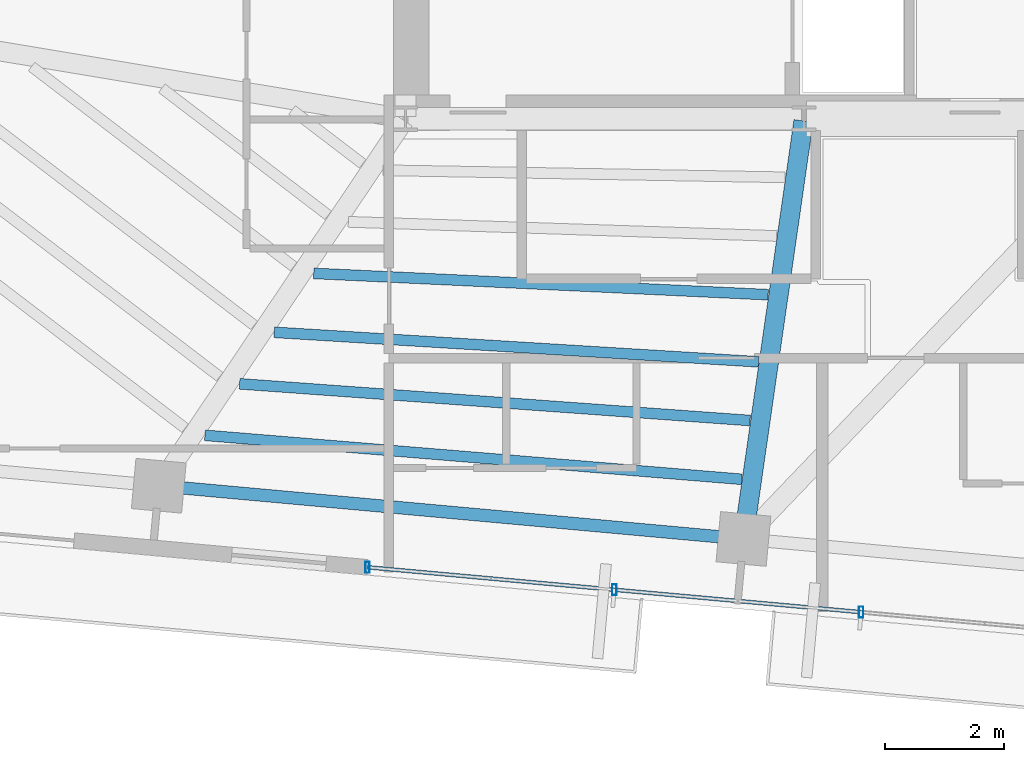
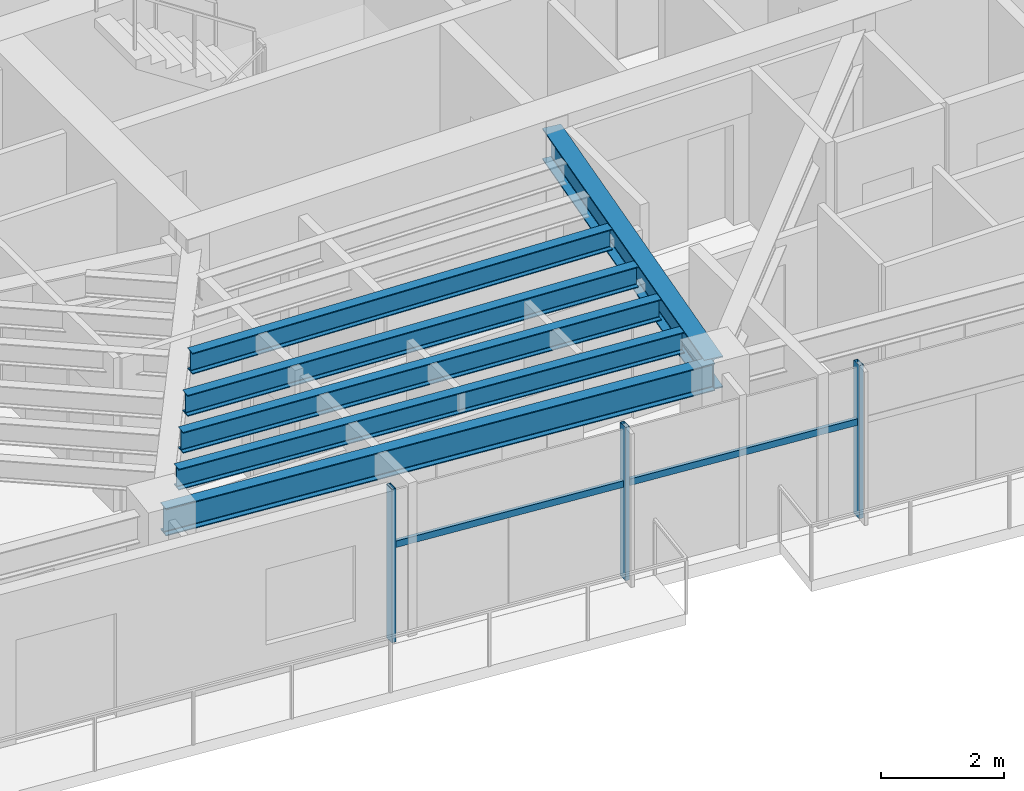
# One storey, part 6 of 22: 6 beams, 5 members, 1 element without a shape of its own.
"""IFC4 building model written with IfcOpenShell, lengths in metres."""

from ifc_helpers import new_model, si_unit, direction, frame, origin, origin_2d, place, context, subcontext, project, spatial, hollow_rectangle, i_section, extrude, source, transform, mapped, material, material_profile, profile_set, type_object, type_shapes, element, aggregate, save


model = new_model("IFC4")

# Units and contexts
model_context = context("Model", 3, precision=1e-05, world=origin(), true_north=direction((0.0, 1.0)))
body_context = subcontext(model_context, "Body", "Model", "MODEL_VIEW")
ifc_project = project(units=[si_unit("LENGTHUNIT", "METRE"), si_unit("AREAUNIT", "SQUARE_METRE"), si_unit("VOLUMEUNIT", "CUBIC_METRE"), si_unit("PLANEANGLEUNIT", "RADIAN"), si_unit("MASSUNIT", "GRAM", prefix="KILO")], contexts=[model_context])

# Site, building, storey
site_placement = place(None, origin())
site = spatial("IfcSite", under=ifc_project, at=site_placement, CompositionType="ELEMENT")
building_placement = place(site_placement, origin())
building = spatial("IfcBuilding", under=site, at=building_placement, Name="Astriad Promenade Condominiums", CompositionType="ELEMENT")
storey_placement = place(building_placement, frame((0.0, 0.0, 239.699951171875)))
storey = spatial("IfcBuildingStorey", under=building, at=storey_placement, Name="L69", CompositionType="ELEMENT", Elevation=239.699951171875)

# Beams
ifc_material_1 = material(Name="Steel ASTM A992 Grade 50", Category="steel")
ifc_material_profile_1 = material_profile(ifc_material_1, i_section(OverallWidth=0.210693359375, OverallDepth=0.53955078125, WebThickness=0.01171875, FlangeThickness=0.018798828125, FilletRadius=0.0166015625, at=origin_2d()), Name="W21X73")
ifc_profile_set_1 = profile_set([ifc_material_profile_1], Name="Steel ASTM A992 Grade 50")
beam_type_1 = type_object("IfcBeamType", Name="STEEL SPANDREL BEAM W21X73", PredefinedType="SPANDREL", material=ifc_profile_set_1)
shared_shape_1 = source(origin(), body_context, "Body", "SweptSolid", [
    extrude(i_section(OverallWidth=0.210693359375, OverallDepth=0.53955078125, WebThickness=0.01171875, FlangeThickness=0.018798828125, FilletRadius=0.0166015625, at=origin_2d()), origin(), (0.0, 0.0, 1.0), 9.81982421875),
])
type_shapes(beam_type_1, [shared_shape_1])
beam_1_placement = place(storey_placement, frame((22.281005859375, 11.205322265625, 2.770263671875), z_axis=(0.995885459014, -0.090620927631, 0.0), x_axis=(0.090620927631, 0.995885459014, 0.0)))
element("IfcBeam", 1, at=beam_1_placement, inside=storey, type_object=beam_type_1, Name="Perimeter Spandrel Beam SP-S2-L69", PredefinedType="SPANDREL", context=body_context, shape_type="MappedRepresentation", body=[
    mapped(shared_shape_1, transform((0.0, 0.0, 0.0), scale=1.0)),
])
ifc_material_profile_2 = material_profile(ifc_material_1, i_section(OverallWidth=0.326416015625, OverallDepth=0.621826171875, WebThickness=0.015380859375, FlangeThickness=0.0244140625, FilletRadius=0.017822265625, at=origin_2d()), Name="W24X131")
ifc_profile_set_2 = profile_set([ifc_material_profile_2], Name="Steel ASTM A992 Grade 50")
beam_type_2 = type_object("IfcBeamType", Name="STEEL FLOOR GIRDER W24X131", PredefinedType="BEAM", material=ifc_profile_set_2)
shared_shape_2 = source(origin(), body_context, "Body", "SweptSolid", [
    extrude(i_section(OverallWidth=0.326416015625, OverallDepth=0.621826171875, WebThickness=0.015380859375, FlangeThickness=0.0244140625, FilletRadius=0.017822265625, at=origin_2d()), origin(), (0.0, 0.0, 1.0), 7.081298828125),
])
type_shapes(beam_type_2, [shared_shape_2])
beam_2_placement = place(storey_placement, frame((32.10595703125, 10.351318359375, 2.729248046875), z_axis=(0.142391481124, 0.989810419274, 0.0), x_axis=(-0.989810419274, 0.142391481124, 0.0)))
element("IfcBeam", 2, at=beam_2_placement, inside=storey, type_object=beam_type_2, Name="Primary Floor Girder PG-C1-L69", PredefinedType="BEAM", context=body_context, shape_type="MappedRepresentation", body=[
    mapped(shared_shape_2, transform((0.0, 0.0, 0.0), scale=1.0)),
])
ifc_material_profile_3 = material_profile(ifc_material_1, i_section(OverallWidth=0.180908203125, OverallDepth=0.417236328125, WebThickness=0.010986328125, FlangeThickness=0.018310546875, FilletRadius=0.013916015625, at=origin_2d()), Name="W16X57")
ifc_profile_set_3 = profile_set([ifc_material_profile_3], Name="Steel ASTM A992 Grade 50")
beam_type_3 = type_object("IfcBeamType", Name="STEEL FLOOR JOIST W16X57", PredefinedType="JOIST", material=ifc_profile_set_3)
shared_shape_3 = source(origin(), body_context, "Body", "SweptSolid", [
    extrude(i_section(OverallWidth=0.180908203125, OverallDepth=0.417236328125, WebThickness=0.010986328125, FlangeThickness=0.018310546875, FilletRadius=0.013916015625, at=origin_2d()), origin(), (0.0, 0.0, 1.0), 9.08056640625),
])
beam_3_placement = place(storey_placement, frame((23.019775390625, 12.059814453125, 2.83154296875), z_axis=(0.996660857814, -0.081652522934, 0.0), x_axis=(0.081652522934, 0.996660857814, 0.0)))
element("IfcBeam", 3, at=beam_3_placement, inside=storey, type_object=beam_type_3, Name="Secondary Composite Floor Joist JCW-1-L69", PredefinedType="JOIST", context=body_context, shape_type="MappedRepresentation", body=[
    mapped(shared_shape_3, transform((0.0, 0.0, 0.0), scale=1.0)),
])
shared_shape_4 = source(origin(), body_context, "Body", "SweptSolid", [
    extrude(i_section(OverallWidth=0.180908203125, OverallDepth=0.417236328125, WebThickness=0.010986328125, FlangeThickness=0.018310546875, FilletRadius=0.013916015625, at=origin_2d()), origin(), (0.0, 0.0, 1.0), 8.631591796875),
])
beam_4_placement = place(storey_placement, frame((23.603271484375, 12.92822265625, 2.83154296875), z_axis=(0.997424124914, -0.071729457259, 0.0), x_axis=(0.071729457259, 0.997424124914, 0.0)))
element("IfcBeam", 4, at=beam_4_placement, inside=storey, type_object=beam_type_3, Name="Secondary Composite Floor Joist JCW-2-L69", PredefinedType="JOIST", context=body_context, shape_type="MappedRepresentation", body=[
    mapped(shared_shape_4, transform((0.0, 0.0, 0.0), scale=1.0)),
])
shared_shape_5 = source(origin(), body_context, "Body", "SweptSolid", [
    extrude(i_section(OverallWidth=0.180908203125, OverallDepth=0.417236328125, WebThickness=0.010986328125, FlangeThickness=0.018310546875, FilletRadius=0.013916015625, at=origin_2d()), origin(), (0.0, 0.0, 1.0), 8.183349609375),
])
beam_5_placement = place(storey_placement, frame((24.186767578125, 13.797119140625, 2.83154296875), z_axis=(0.998148077796, -0.06083103478, 0.0), x_axis=(0.06083103478, 0.998148077796, 0.0)))
element("IfcBeam", 5, at=beam_5_placement, inside=storey, type_object=beam_type_3, Name="Secondary Composite Floor Joist JCW-3-L69", PredefinedType="JOIST", context=body_context, shape_type="MappedRepresentation", body=[
    mapped(shared_shape_5, transform((0.0, 0.0, 0.0), scale=1.0)),
])
shared_shape_6 = source(origin(), body_context, "Body", "SweptSolid", [
    extrude(i_section(OverallWidth=0.180908203125, OverallDepth=0.417236328125, WebThickness=0.010986328125, FlangeThickness=0.018310546875, FilletRadius=0.013916015625, at=origin_2d()), origin(), (0.0, 0.0, 1.0), 7.672119140625),
])
type_shapes(beam_type_3, [shared_shape_3, shared_shape_4, shared_shape_5, shared_shape_6])
beam_6_placement = place(storey_placement, frame((24.85400390625, 14.790283203125, 2.83154296875), z_axis=(0.998903848677, -0.04680919886, 0.0), x_axis=(0.04680919886, 0.998903848677, 0.0)))
element("IfcBeam", 6, at=beam_6_placement, inside=storey, type_object=beam_type_3, Name="Secondary Composite Floor Joist JCW-4-L69", PredefinedType="JOIST", context=body_context, shape_type="MappedRepresentation", body=[
    mapped(shared_shape_6, transform((0.0, 0.0, 0.0), scale=1.0)),
])

# Curtain wall, members
ifc_material_2 = material(Name="Anodised aluminium Black Dark Glass Unitised", Category="aluminium")
curtain_wall_type = type_object("IfcCurtainWallType", Name="CW-B5-DARK", PredefinedType="USERDEFINED", material=ifc_material_2)
curtain_wall_placement = place(storey_placement, origin())
curtain_wall = element("IfcCurtainWall", 7, at=curtain_wall_placement, inside=storey, type_object=curtain_wall_type, Name="CW-L69-S", ObjectType="UNITISED_CURTAIN_WALL", PredefinedType="USERDEFINED")
ifc_material_3 = material(Name="Anodised aluminium 6063-T6 Black", Category="aluminium")
ifc_material_profile_4 = material_profile(ifc_material_3, hollow_rectangle(XDim=0.06494140625, YDim=0.1298828125, WallThickness=0.00390625, at=origin_2d()), Name="ALU-TRN-65X130")
ifc_profile_set_4 = profile_set([ifc_material_profile_4], Name="Anodised aluminium 6063-T6 Black")
member_type_1 = type_object("IfcMemberType", Name="TRN-ALU-TRN-65X130", PredefinedType="USERDEFINED", material=ifc_profile_set_4)
shared_shape_7 = source(origin(), body_context, "Body", "SweptSolid", [
    extrude(hollow_rectangle(XDim=0.06494140625, YDim=0.1298828125, WallThickness=0.00390625, at=origin_2d()), origin(), (0.0, 0.0, 1.0), 4.179931640625),
])
type_shapes(member_type_1, [shared_shape_7])
member_1_placement = place(storey_placement, frame((34.086669921875, 9.07666015625, 1.884765625), z_axis=(-0.995883146811, 0.090646334165, 0.0), x_axis=(-0.090646334165, -0.995883146811, 0.0)))
member_1 = element("IfcMember", 8, at=member_1_placement, type_object=member_type_1, Name="CW-L69-S-TRN-01-0", ObjectType="TRANSOM", PredefinedType="USERDEFINED", context=body_context, shape_type="MappedRepresentation", body=[
    mapped(shared_shape_7, transform((0.0, 0.0, 0.0), scale=1.0)),
])
member_2_placement = place(storey_placement, frame((29.923828125, 9.45556640625, 1.884765625), z_axis=(-0.995883146811, 0.090646334165, 0.0), x_axis=(-0.090646334165, -0.995883146811, 0.0)))
member_2 = element("IfcMember", 9, at=member_2_placement, type_object=member_type_1, Name="CW-L69-S-TRN-02-0", ObjectType="TRANSOM", PredefinedType="USERDEFINED", context=body_context, shape_type="MappedRepresentation", body=[
    mapped(shared_shape_7, transform((0.0, 0.0, 0.0), scale=1.0)),
])
ifc_material_profile_5 = material_profile(ifc_material_3, hollow_rectangle(XDim=0.074951171875, YDim=0.18505859375, WallThickness=0.00439453125, at=origin_2d()), Name="ALU-MUL-75X185")
ifc_profile_set_5 = profile_set([ifc_material_profile_5], Name="Anodised aluminium 6063-T6 Black")
member_type_2 = type_object("IfcMemberType", Name="MUL-ALU-MUL-75X185", PredefinedType="MULLION", material=ifc_profile_set_5)
shared_shape_8 = source(origin(), body_context, "Body", "SweptSolid", [
    extrude(hollow_rectangle(XDim=0.074951171875, YDim=0.18505859375, WallThickness=0.00439453125, at=origin_2d()), origin(), (0.0, 0.0, 1.0), 3.0400390625),
])
type_shapes(member_type_2, [shared_shape_8])
member_3_placement = place(storey_placement, frame((34.086669921875, 9.07666015625, 0.0), z_axis=(0.0, 0.0, 1.0), x_axis=(1.0, 0.0, 0.0)))
member_3 = element("IfcMember", 10, at=member_3_placement, type_object=member_type_2, Name="CW-L69-S-MUL-01", PredefinedType="MULLION", context=body_context, shape_type="MappedRepresentation", body=[
    mapped(shared_shape_8, transform((0.0, 0.0, 0.0), scale=1.0)),
])
member_4_placement = place(storey_placement, frame((29.923828125, 9.45556640625, 0.0), z_axis=(0.0, 0.0, 1.0), x_axis=(1.0, 0.0, 0.0)))
member_4 = element("IfcMember", 11, at=member_4_placement, type_object=member_type_2, Name="CW-L69-S-MUL-02", PredefinedType="MULLION", context=body_context, shape_type="MappedRepresentation", body=[
    mapped(shared_shape_8, transform((0.0, 0.0, 0.0), scale=1.0)),
])
member_5_placement = place(storey_placement, frame((25.760986328125, 9.83447265625, 0.0), z_axis=(0.0, 0.0, 1.0), x_axis=(1.0, 0.0, 0.0)))
member_5 = element("IfcMember", 12, at=member_5_placement, type_object=member_type_2, Name="CW-L69-S-MUL-03", PredefinedType="MULLION", context=body_context, shape_type="MappedRepresentation", body=[
    mapped(shared_shape_8, transform((0.0, 0.0, 0.0), scale=1.0)),
])
aggregate(curtain_wall, [member_3, member_4, member_5, member_1, member_2])

save(model, "model.ifc")
